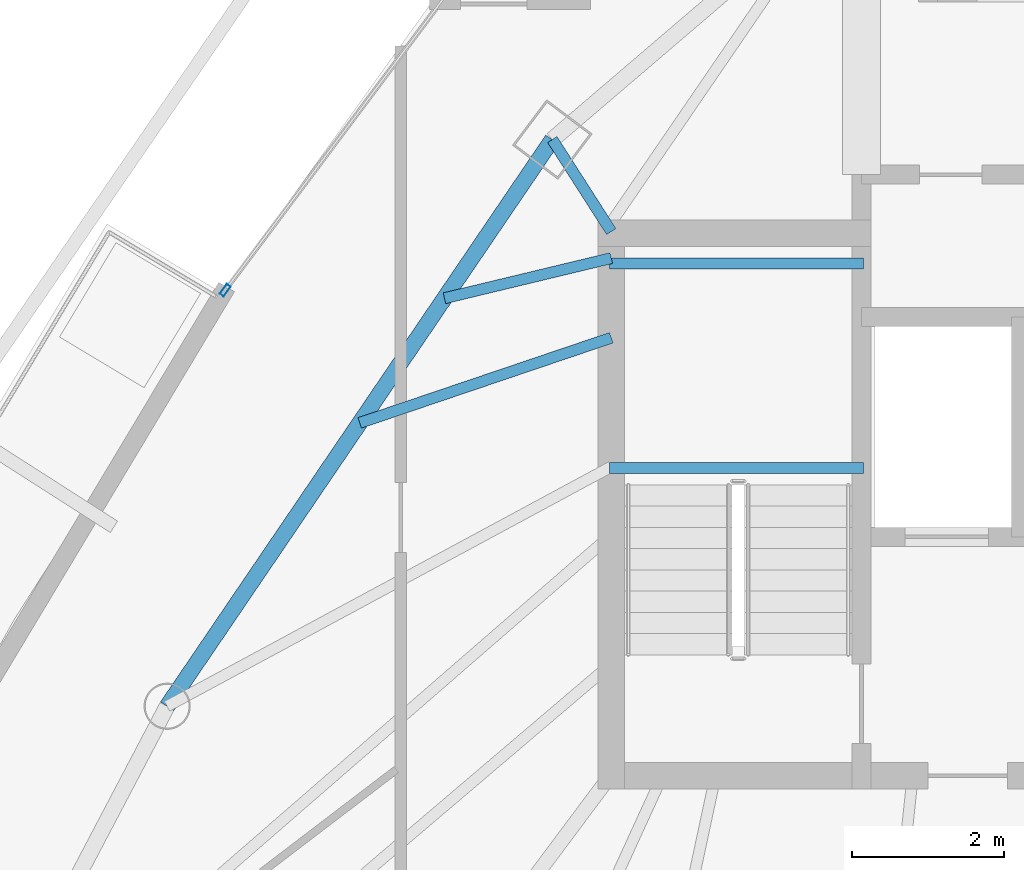
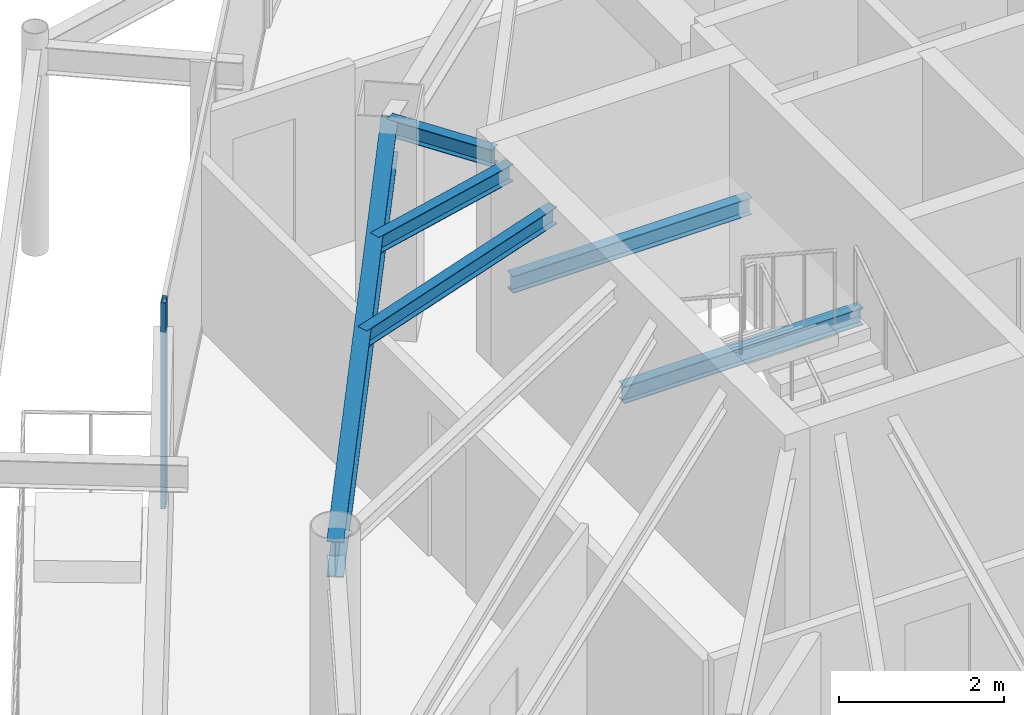
# One storey, part 13 of 33: 6 beams, 1 member, 1 element without a shape of its own.
"""IFC4 building model written with IfcOpenShell, lengths in metres."""

from ifc_helpers import new_model, si_unit, direction, frame, origin, origin_2d, place, context, subcontext, project, spatial, hollow_rectangle, i_section, extrude, material, layer, layer_set, material_profile, profile_set, type_object, element, aggregate, save


model = new_model("IFC4")

# Units and contexts
model_context = context("Model", 3, precision=1e-05, world=origin(), true_north=direction((0.0, 1.0)))
body_context = subcontext(model_context, "Body", "Model", "MODEL_VIEW")
ifc_project = project(units=[si_unit("LENGTHUNIT", "METRE"), si_unit("AREAUNIT", "SQUARE_METRE"), si_unit("VOLUMEUNIT", "CUBIC_METRE"), si_unit("PLANEANGLEUNIT", "RADIAN"), si_unit("MASSUNIT", "GRAM", prefix="KILO")], contexts=[model_context])

# Site, building, storey
site_placement = place(None, origin())
site = spatial("IfcSite", under=ifc_project, at=site_placement, CompositionType="ELEMENT")
building_placement = place(site_placement, origin())
building = spatial("IfcBuilding", under=site, at=building_placement, Name="Orvanel Arch Residences", CompositionType="ELEMENT")
storey_placement = place(building_placement, frame((0.0, 0.0, 209.60009765625)))
storey = spatial("IfcBuildingStorey", under=building, at=storey_placement, Name="L59", CompositionType="ELEMENT", Elevation=209.60009765625)

# Beams
ifc_material_1 = material(Name="Structural steel AS/NZS 3679.1 Grade 300 (300 MPa)", Category="steel")
ifc_material_profile_1 = material_profile(ifc_material_1, i_section(OverallWidth=0.14599609375, OverallDepth=0.251953125, WebThickness=0.006103515625, FlangeThickness=0.008544921875, at=origin_2d()), Name="250UB31.4")
ifc_profile_set_1 = profile_set([ifc_material_profile_1], Name="Structural steel AS/NZS 3679.1 Grade 300 (300 MPa)")
beam_type_1 = type_object("IfcBeamType", Name="BJ-250UB", PredefinedType="JOIST", material=ifc_profile_set_1)
for number, where, z_axis, x_axis, name in (
    (1, (26.39990234375, 30.780029296875, 1.323974609375), (1.0, 0.0, 0.0), (0.0, 1.0, 0.0), "L59 ST-1 Half-Landing Support Beam 1.1"),
    (2, (26.39990234375, 33.47998046875, 1.323974609375), (1.0, 0.0, 0.0), (0.0, 1.0, 0.0), "L59 ST-1 Half-Landing Support Beam 1.2"),
):
    element("IfcBeam", number, at=place(storey_placement, frame(where, z_axis=z_axis, x_axis=x_axis)), inside=storey, type_object=beam_type_1, Name=name, PredefinedType="JOIST", context=body_context, shape_type="SweptSolid", body=[
        extrude(i_section(OverallWidth=0.14599609375, OverallDepth=0.251953125, WebThickness=0.006103515625, FlangeThickness=0.008544921875, at=origin_2d()), origin(), (0.0, 0.0, 1.0), 3.35009765625),
    ])
beam_1_placement = place(storey_placement, frame((26.425048828125, 33.89990234375, 2.933837890625), z_axis=(-0.539395075146, 0.842052820735, 0.0), x_axis=(-0.842052820735, -0.539395075146, 0.0)))
element("IfcBeam", 3, at=beam_1_placement, inside=storey, type_object=beam_type_1, Name="L59 NNW Wing Floor Joist", PredefinedType="JOIST", context=body_context, shape_type="SweptSolid", body=[
    extrude(i_section(OverallWidth=0.14599609375, OverallDepth=0.251953125, WebThickness=0.006103515625, FlangeThickness=0.008544921875, at=origin_2d()), origin(), (0.0, 0.0, 1.0), 1.440673828125),
])
beam_2_placement = place(storey_placement, frame((26.425048828125, 32.5, 2.933837890625), z_axis=(-0.947187956478, -0.320678928373, 0.0), x_axis=(0.320678928373, -0.947187956478, 0.0)))
element("IfcBeam", 4, at=beam_2_placement, inside=storey, type_object=beam_type_1, Name="L59 WNW Wing Floor Joist", PredefinedType="JOIST", context=body_context, shape_type="SweptSolid", body=[
    extrude(i_section(OverallWidth=0.14599609375, OverallDepth=0.251953125, WebThickness=0.006103515625, FlangeThickness=0.008544921875, at=origin_2d()), origin(), (0.0, 0.0, 1.0), 3.502197265625),
])
beam_3_placement = place(storey_placement, frame((26.425048828125, 33.550048828125, 2.933837890625), z_axis=(-0.972256833016, -0.23391590509, 0.0), x_axis=(0.23391590509, -0.972256833016, 0.0)))
element("IfcBeam", 5, at=beam_3_placement, inside=storey, type_object=beam_type_1, Name="L59 JADD3 Wing Floor Joist", PredefinedType="JOIST", context=body_context, shape_type="SweptSolid", body=[
    extrude(i_section(OverallWidth=0.14599609375, OverallDepth=0.251953125, WebThickness=0.006103515625, FlangeThickness=0.008544921875, at=origin_2d()), origin(), (0.0, 0.0, 1.0), 2.26171875),
])

# Curtain wall, member
ifc_material_2 = material(Name="Bronze-anodised aluminium AA6063-T6", Category="aluminium")
ifc_layer = layer(ifc_material_2, 0.175048828125)
ifc_layer_set = layer_set([ifc_layer], Name="Bronze-anodised aluminium AA6063-T6")
curtain_wall_type = type_object("IfcCurtainWallType", Name="CW4-HI-SYS", PredefinedType="NOTDEFINED", material=ifc_layer_set)
curtain_wall_placement = place(storey_placement, origin())
curtain_wall = element("IfcCurtainWall", 6, at=curtain_wall_placement, inside=storey, type_object=curtain_wall_type, Name="L59 CW4-HI-SYS Unitised Curtain Wall", PredefinedType="NOTDEFINED")
ifc_material_profile_2 = material_profile(ifc_material_2, hollow_rectangle(XDim=0.06494140625, YDim=0.159912109375, WallThickness=0.00390625, at=origin_2d()), Name="ALU160x65x4")
ifc_profile_set_2 = profile_set([ifc_material_profile_2], Name="Bronze-anodised aluminium AA6063-T6")
member_type = type_object("IfcMemberType", Name="MUL-160x65", PredefinedType="MULLION", material=ifc_profile_set_2)
member_placement = place(storey_placement, frame((21.33447265625, 33.126953125, 0.0), z_axis=(0.0, 0.0, 1.0), x_axis=(0.800635505282, -0.599151723424, 0.0)))
member = element("IfcMember", 7, at=member_placement, type_object=member_type, Name="CW-S4 mullion 3", PredefinedType="MULLION", context=body_context, shape_type="SweptSolid", body=[
    extrude(hollow_rectangle(XDim=0.06494140625, YDim=0.159912109375, WallThickness=0.00390625, at=origin_2d()), origin(), (0.0, 0.0, 1.0), 3.059814453125),
])
aggregate(curtain_wall, [member])

# Beam
ifc_material_profile_3 = material_profile(ifc_material_1, i_section(OverallWidth=0.208984375, OverallDepth=0.532958984375, WebThickness=0.01025390625, FlangeThickness=0.015625, at=origin_2d()), Name="530UB92.4")
ifc_profile_set_3 = profile_set([ifc_material_profile_3], Name="Structural steel AS/NZS 3679.1 Grade 300 (300 MPa)")
beam_type_2 = type_object("IfcBeamType", Name="SP-530UB", PredefinedType="SPANDREL", material=ifc_profile_set_3)
beam_4_placement = place(storey_placement, frame((25.64794921875, 35.113037109375, 2.79296875), z_axis=(-0.562154793153, -0.827032035978, 0.0), x_axis=(0.827032035978, -0.562154793153, 0.0)))
element("IfcBeam", 8, at=beam_4_placement, inside=storey, type_object=beam_type_2, Name="L59 Perimeter Spandrel Beam 11", PredefinedType="SPANDREL", context=body_context, shape_type="SweptSolid", body=[
    extrude(i_section(OverallWidth=0.208984375, OverallDepth=0.532958984375, WebThickness=0.01025390625, FlangeThickness=0.015625, at=origin_2d()), origin(), (0.0, 0.0, 1.0), 9.03466796875),
])

save(model, "model.ifc")
